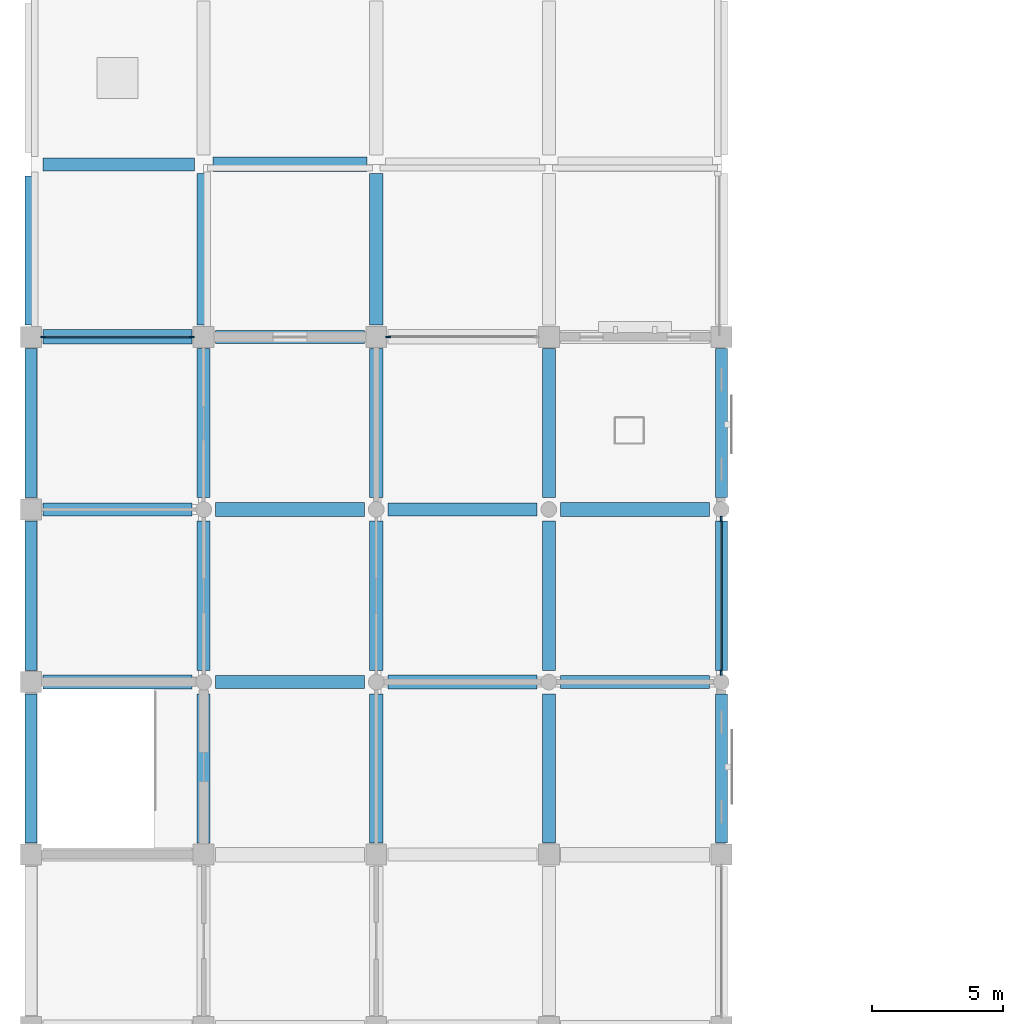
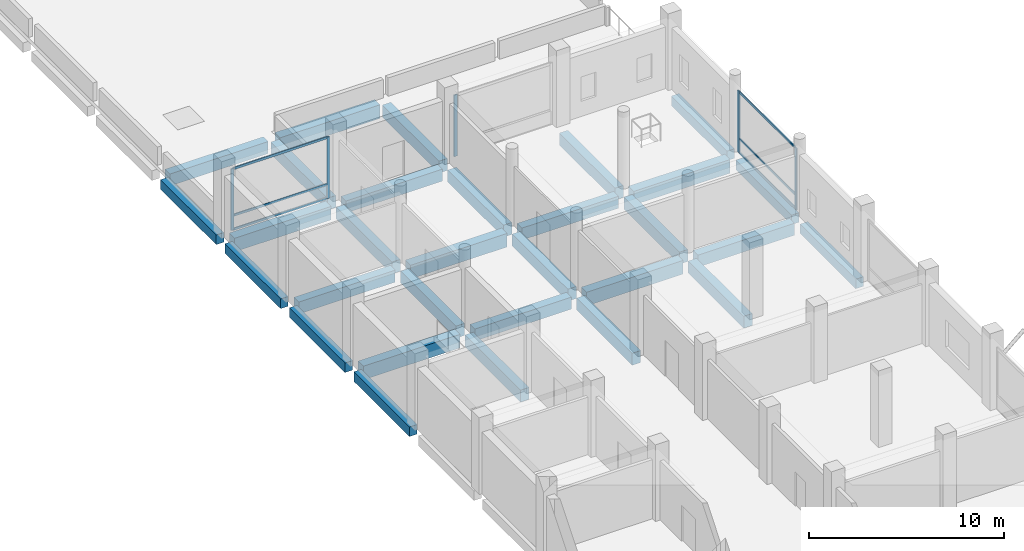
# One storey, part 13 of 34: 30 beams, 11 members, 3 elements without a shape of their own.
"""IFC4 building model written with IfcOpenShell, lengths in metres."""

from ifc_helpers import new_model, si_unit, direction, frame, origin, origin_2d, place, context, subcontext, project, spatial, rectangle, extrude, material, material_profile, profile_set, type_object, element, aggregate, save


model = new_model("IFC4")

# Units and contexts
model_context = context("Model", 3, precision=1e-05, world=origin(), true_north=direction((0.0, 1.0)))
body_context = subcontext(model_context, "Body", "Model", "MODEL_VIEW")
ifc_project = project(units=[si_unit("LENGTHUNIT", "METRE"), si_unit("AREAUNIT", "SQUARE_METRE"), si_unit("VOLUMEUNIT", "CUBIC_METRE"), si_unit("PLANEANGLEUNIT", "RADIAN"), si_unit("MASSUNIT", "GRAM", prefix="KILO")], contexts=[model_context])

# Site, building, storey
site_placement = place(None, origin())
site = spatial("IfcSite", under=ifc_project, at=site_placement, CompositionType="ELEMENT")
building_placement = place(site_placement, origin())
building = spatial("IfcBuilding", under=site, at=building_placement, Name="Rusizi Kubbe Research Institute", CompositionType="ELEMENT")
storey_placement = place(building_placement, frame((0.0, 0.0, 5.39990234375)))
storey = spatial("IfcBuildingStorey", under=building, at=storey_placement, Name="L01", CompositionType="ELEMENT", Elevation=5.39990234375)

# Beams
ifc_material_1 = material(Name="Concrete C40/50", Category="concrete")
ifc_material_profile_1 = material_profile(ifc_material_1, rectangle(XDim=0.449951171875, YDim=0.60009765625, at=origin_2d()), Name="RC450x600")
ifc_profile_set_1 = profile_set([ifc_material_profile_1], Name="Concrete C40/50")
beam_type_1 = type_object("IfcBeamType", Name="BM-RC450x600", PredefinedType="SPANDREL", material=ifc_profile_set_1)
for number, where, z_axis, x_axis, name in (
    (1, (0.0, 125.85009765625, -0.64990234375), (0.0, 1.0, 0.0), (-1.0, 0.0, 0.0), "Grid Beam V L01 (0,19)"),
    (2, (0.0, 132.449951171875, -0.64990234375), (0.0, 1.0, 0.0), (-1.0, 0.0, 0.0), "Grid Beam V L01 (0,20)"),
    (3, (0.0, 139.050048828125, -0.64990234375), (0.0, 1.0, 0.0), (-1.0, 0.0, 0.0), "Grid Beam V L01 (0,21)"),
):
    element("IfcBeam", number, at=place(storey_placement, frame(where, z_axis=z_axis, x_axis=x_axis)), inside=storey, type_object=beam_type_1, Name=name, PredefinedType="SPANDREL", context=body_context, shape_type="SweptSolid", body=[
        extrude(rectangle(XDim=0.449951171875, YDim=0.60009765625, at=origin_2d()), origin(), (0.0, 0.0, 1.0), 5.699951171875),
    ])
beam_1_placement = place(storey_placement, frame((0.0, 145.64990234375, -0.64990234375), z_axis=(0.0, 1.0, 0.0), x_axis=(-1.0, 0.0, 0.0)))
element("IfcBeam", 4, at=beam_1_placement, inside=storey, type_object=beam_type_1, Name="Grid Beam V L01 (0,22)", PredefinedType="SPANDREL", context=body_context, shape_type="SweptSolid", body=[
    extrude(rectangle(XDim=0.449951171875, YDim=0.60009765625, at=origin_2d()), origin(), (0.0, 0.0, 1.0), 5.7001953125),
])
for number, where, z_axis, x_axis, name in (
    (5, (26.39990234375, 125.85009765625, -0.64990234375), (0.0, 1.0, 0.0), (-1.0, 0.0, 0.0), "Grid Beam V L01 (4,19)"),
    (6, (26.39990234375, 132.449951171875, -0.64990234375), (0.0, 1.0, 0.0), (-1.0, 0.0, 0.0), "Grid Beam V L01 (4,20)"),
    (7, (26.39990234375, 139.050048828125, -0.64990234375), (0.0, 1.0, 0.0), (-1.0, 0.0, 0.0), "Grid Beam V L01 (4,21)"),
):
    element("IfcBeam", number, at=place(storey_placement, frame(where, z_axis=z_axis, x_axis=x_axis)), inside=storey, type_object=beam_type_1, Name=name, PredefinedType="SPANDREL", context=body_context, shape_type="SweptSolid", body=[
        extrude(rectangle(XDim=0.449951171875, YDim=0.60009765625, at=origin_2d()), origin(), (0.0, 0.0, 1.0), 5.699951171875),
    ])
ifc_material_2 = material(Name="Concrete C45/55", Category="concrete")
ifc_material_profile_2 = material_profile(ifc_material_2, rectangle(XDim=0.5, YDim=0.75, at=origin_2d()), Name="RC500x750B")
ifc_profile_set_2 = profile_set([ifc_material_profile_2], Name="Concrete C45/55")
beam_type_2 = type_object("IfcBeamType", Name="BM-RC500x750", PredefinedType="BEAM", material=ifc_profile_set_2)
beam_2_placement = place(storey_placement, frame((0.449951171875, 138.60009765625, -0.724853515625), z_axis=(1.0, 0.0, 0.0), x_axis=(0.0, 1.0, 0.0)))
element("IfcBeam", 8, at=beam_2_placement, inside=storey, type_object=beam_type_2, Name="Grid Beam H L01 (0,21)", PredefinedType="BEAM", context=body_context, shape_type="SweptSolid", body=[
    extrude(rectangle(XDim=0.5, YDim=0.75, at=origin_2d()), origin(), (0.0, 0.0, 1.0), 5.699951171875),
])
beam_3_placement = place(storey_placement, frame((0.449951171875, 151.800048828125, -0.724853515625), z_axis=(1.0, 0.0, 0.0), x_axis=(0.0, 1.0, 0.0)))
element("IfcBeam", 9, at=beam_3_placement, inside=storey, type_object=beam_type_2, Name="Grid Beam H L01 (0,23)", PredefinedType="BEAM", context=body_context, shape_type="SweptSolid", body=[
    extrude(rectangle(XDim=0.5, YDim=0.75, at=origin_2d()), origin(), (0.0, 0.0, 1.0), 5.800048828125),
])
for number, where, z_axis, x_axis, name in (
    (10, (7.050048828125, 132.0, -0.724853515625), (1.0, 0.0, 0.0), (0.0, 1.0, 0.0), "Grid Beam H L01 (1,20)"),
    (11, (7.050048828125, 145.199951171875, -0.724853515625), (1.0, 0.0, 0.0), (0.0, 1.0, 0.0), "Grid Beam H L01 (1,22)"),
):
    element("IfcBeam", number, at=place(storey_placement, frame(where, z_axis=z_axis, x_axis=x_axis)), inside=storey, type_object=beam_type_2, Name=name, PredefinedType="BEAM", context=body_context, shape_type="SweptSolid", body=[
        extrude(rectangle(XDim=0.5, YDim=0.75, at=origin_2d()), origin(), (0.0, 0.0, 1.0), 5.699951171875),
    ])
beam_4_placement = place(storey_placement, frame((13.64990234375, 138.60009765625, -0.724853515625), z_axis=(1.0, 0.0, 0.0), x_axis=(0.0, 1.0, 0.0)))
element("IfcBeam", 12, at=beam_4_placement, inside=storey, type_object=beam_type_2, Name="Grid Beam H L01 (2,21)", PredefinedType="BEAM", context=body_context, shape_type="SweptSolid", body=[
    extrude(rectangle(XDim=0.5, YDim=0.75, at=origin_2d()), origin(), (0.0, 0.0, 1.0), 5.7001953125),
])
for number, where, z_axis, x_axis, name in (
    (13, (20.25, 132.0, -0.724853515625), (1.0, 0.0, 0.0), (0.0, 1.0, 0.0), "Grid Beam H L01 (3,20)"),
    (14, (6.60009765625, 125.85009765625, -0.724853515625), (0.0, 1.0, 0.0), (-1.0, 0.0, 0.0), "Grid Beam V L01 (1,19)"),
    (15, (6.60009765625, 132.449951171875, -0.724853515625), (0.0, 1.0, 0.0), (-1.0, 0.0, 0.0), "Grid Beam V L01 (1,20)"),
    (16, (6.60009765625, 139.050048828125, -0.724853515625), (0.0, 1.0, 0.0), (-1.0, 0.0, 0.0), "Grid Beam V L01 (1,21)"),
):
    element("IfcBeam", number, at=place(storey_placement, frame(where, z_axis=z_axis, x_axis=x_axis)), inside=storey, type_object=beam_type_2, Name=name, PredefinedType="BEAM", context=body_context, shape_type="SweptSolid", body=[
        extrude(rectangle(XDim=0.5, YDim=0.75, at=origin_2d()), origin(), (0.0, 0.0, 1.0), 5.699951171875),
    ])
beam_5_placement = place(storey_placement, frame((6.60009765625, 145.64990234375, -0.724853515625), z_axis=(0.0, 1.0, 0.0), x_axis=(-1.0, 0.0, 0.0)))
element("IfcBeam", 17, at=beam_5_placement, inside=storey, type_object=beam_type_2, Name="Grid Beam V L01 (1,22)", PredefinedType="BEAM", context=body_context, shape_type="SweptSolid", body=[
    extrude(rectangle(XDim=0.5, YDim=0.75, at=origin_2d()), origin(), (0.0, 0.0, 1.0), 5.800048828125),
])
for number, where, z_axis, x_axis, name in (
    (18, (13.199951171875, 125.85009765625, -0.724853515625), (0.0, 1.0, 0.0), (-1.0, 0.0, 0.0), "Grid Beam V L01 (2,19)"),
    (19, (13.199951171875, 132.449951171875, -0.724853515625), (0.0, 1.0, 0.0), (-1.0, 0.0, 0.0), "Grid Beam V L01 (2,20)"),
    (20, (13.199951171875, 139.050048828125, -0.724853515625), (0.0, 1.0, 0.0), (-1.0, 0.0, 0.0), "Grid Beam V L01 (2,21)"),
):
    element("IfcBeam", number, at=place(storey_placement, frame(where, z_axis=z_axis, x_axis=x_axis)), inside=storey, type_object=beam_type_2, Name=name, PredefinedType="BEAM", context=body_context, shape_type="SweptSolid", body=[
        extrude(rectangle(XDim=0.5, YDim=0.75, at=origin_2d()), origin(), (0.0, 0.0, 1.0), 5.699951171875),
    ])
beam_6_placement = place(storey_placement, frame((13.199951171875, 145.64990234375, -0.724853515625), z_axis=(0.0, 1.0, 0.0), x_axis=(-1.0, 0.0, 0.0)))
element("IfcBeam", 21, at=beam_6_placement, inside=storey, type_object=beam_type_2, Name="Grid Beam V L01 (2,22)", PredefinedType="BEAM", context=body_context, shape_type="SweptSolid", body=[
    extrude(rectangle(XDim=0.5, YDim=0.75, at=origin_2d()), origin(), (0.0, 0.0, 1.0), 5.800048828125),
])
for number, where, z_axis, x_axis, name in (
    (22, (19.800048828125, 125.85009765625, -0.724853515625), (0.0, 1.0, 0.0), (-1.0, 0.0, 0.0), "Grid Beam V L01 (3,19)"),
    (23, (19.800048828125, 132.449951171875, -0.724853515625), (0.0, 1.0, 0.0), (-1.0, 0.0, 0.0), "Grid Beam V L01 (3,20)"),
    (24, (19.800048828125, 139.050048828125, -0.724853515625), (0.0, 1.0, 0.0), (-1.0, 0.0, 0.0), "Grid Beam V L01 (3,21)"),
):
    element("IfcBeam", number, at=place(storey_placement, frame(where, z_axis=z_axis, x_axis=x_axis)), inside=storey, type_object=beam_type_2, Name=name, PredefinedType="BEAM", context=body_context, shape_type="SweptSolid", body=[
        extrude(rectangle(XDim=0.5, YDim=0.75, at=origin_2d()), origin(), (0.0, 0.0, 1.0), 5.699951171875),
    ])
ifc_material_3 = material(Name="Concrete C45/55", Category="concrete")
ifc_material_profile_3 = material_profile(ifc_material_3, rectangle(XDim=0.550048828125, YDim=0.85009765625, at=origin_2d()), Name="RC550x850")
ifc_profile_set_3 = profile_set([ifc_material_profile_3], Name="Concrete C45/55")
beam_type_3 = type_object("IfcBeamType", Name="BM-RC550x850", PredefinedType="BEAM", material=ifc_profile_set_3)
for number, where, z_axis, x_axis, name in (
    (25, (0.449951171875, 132.0, -0.77490234375), (1.0, 0.0, 0.0), (0.0, 1.0, 0.0), "Grid Beam H L01 (0,20)"),
    (26, (0.449951171875, 145.199951171875, -0.77490234375), (1.0, 0.0, 0.0), (0.0, 1.0, 0.0), "Grid Beam H L01 (0,22)"),
    (27, (7.050048828125, 138.60009765625, -0.77490234375), (1.0, 0.0, 0.0), (0.0, 1.0, 0.0), "Grid Beam H L01 (1,21)"),
):
    element("IfcBeam", number, at=place(storey_placement, frame(where, z_axis=z_axis, x_axis=x_axis)), inside=storey, type_object=beam_type_3, Name=name, PredefinedType="BEAM", context=body_context, shape_type="SweptSolid", body=[
        extrude(rectangle(XDim=0.550048828125, YDim=0.85009765625, at=origin_2d()), origin(), (0.0, 0.0, 1.0), 5.699951171875),
    ])
beam_7_placement = place(storey_placement, frame((6.949951171875, 151.800048828125, -0.77490234375), z_axis=(1.0, 0.0, 0.0), x_axis=(0.0, 1.0, 0.0)))
element("IfcBeam", 28, at=beam_7_placement, inside=storey, type_object=beam_type_3, Name="Grid Beam H L01 (1,23)", PredefinedType="BEAM", context=body_context, shape_type="SweptSolid", body=[
    extrude(rectangle(XDim=0.550048828125, YDim=0.85009765625, at=origin_2d()), origin(), (0.0, 0.0, 1.0), 5.900146484375),
])
beam_8_placement = place(storey_placement, frame((13.64990234375, 132.0, -0.77490234375), z_axis=(1.0, 0.0, 0.0), x_axis=(0.0, 1.0, 0.0)))
element("IfcBeam", 29, at=beam_8_placement, inside=storey, type_object=beam_type_3, Name="Grid Beam H L01 (2,20)", PredefinedType="BEAM", context=body_context, shape_type="SweptSolid", body=[
    extrude(rectangle(XDim=0.550048828125, YDim=0.85009765625, at=origin_2d()), origin(), (0.0, 0.0, 1.0), 5.7001953125),
])
beam_9_placement = place(storey_placement, frame((20.25, 138.60009765625, -0.77490234375), z_axis=(1.0, 0.0, 0.0), x_axis=(0.0, 1.0, 0.0)))
element("IfcBeam", 30, at=beam_9_placement, inside=storey, type_object=beam_type_3, Name="Grid Beam H L01 (3,21)", PredefinedType="BEAM", context=body_context, shape_type="SweptSolid", body=[
    extrude(rectangle(XDim=0.550048828125, YDim=0.85009765625, at=origin_2d()), origin(), (0.0, 0.0, 1.0), 5.699951171875),
])

# Curtain wall, members
ifc_material_4 = material(Name="Thermally Broken Aluminium and Low-E Glazing", Category="aluminium")
curtain_wall_type_1 = type_object("IfcCurtainWallType", Name="CW-17", PredefinedType="NOTDEFINED", material=ifc_material_4)
curtain_wall_1_placement = place(storey_placement, origin())
curtain_wall_1 = element("IfcCurtainWall", 31, at=curtain_wall_1_placement, inside=storey, type_object=curtain_wall_type_1, Name="Unitised Facade Curtain Wall CW-L01-H-00-22", PredefinedType="NOTDEFINED")
ifc_material_5 = material(Name="Aluminium Alloy 6063-T6", Category="aluminium")
ifc_material_profile_4 = material_profile(ifc_material_5, rectangle(XDim=0.06005859375, YDim=0.179931640625, at=origin_2d()), Name="ALU-M 60x180")
ifc_profile_set_4 = profile_set([ifc_material_profile_4], Name="Aluminium Alloy 6063-T6")
member_type_1 = type_object("IfcMemberType", Name="ML-02", PredefinedType="MULLION", material=ifc_profile_set_4)
member_1_placement = place(storey_placement, frame((0.4599609375, 145.199951171875, 0.0), z_axis=(0.0, 0.0, 1.0), x_axis=(0.0, 1.0, 0.0)))
member_1 = element("IfcMember", 32, at=member_1_placement, type_object=member_type_1, Name="CW-17 mullion 1", PredefinedType="MULLION", context=body_context, shape_type="SweptSolid", body=[
    extrude(rectangle(XDim=0.06005859375, YDim=0.179931640625, at=origin_2d()), origin(), (0.0, 0.0, 1.0), 3.85009765625),
])
member_2_placement = place(storey_placement, frame((6.139892578125, 145.199951171875, 0.0), z_axis=(0.0, 0.0, 1.0), x_axis=(0.0, 1.0, 0.0)))
member_2 = element("IfcMember", 33, at=member_2_placement, type_object=member_type_1, Name="CW-17 mullion 2", PredefinedType="MULLION", context=body_context, shape_type="SweptSolid", body=[
    extrude(rectangle(XDim=0.06005859375, YDim=0.179931640625, at=origin_2d()), origin(), (0.0, 0.0, 1.0), 3.85009765625),
])

# Curtain wall, member
curtain_wall_2_placement = place(storey_placement, origin())
curtain_wall_2 = element("IfcCurtainWall", 34, at=curtain_wall_2_placement, inside=storey, type_object=curtain_wall_type_1, Name="Unitised Facade Curtain Wall CW-L01-H-02-22", PredefinedType="NOTDEFINED")
ifc_material_6 = material(Name="Aluminium Alloy 6063-T6", Category="aluminium")
ifc_material_profile_5 = material_profile(ifc_material_6, rectangle(XDim=0.06494140625, YDim=0.199951171875, at=origin_2d()), Name="ALU-M 65x200")
ifc_profile_set_5 = profile_set([ifc_material_profile_5], Name="Aluminium Alloy 6063-T6")
member_type_2 = type_object("IfcMemberType", Name="ML-03", PredefinedType="MULLION", material=ifc_profile_set_5)
member_3_placement = place(storey_placement, frame((13.66259765625, 145.199951171875, 0.0), z_axis=(0.0, 0.0, 1.0), x_axis=(0.0, 1.0, 0.0)))
member_3 = element("IfcMember", 35, at=member_3_placement, type_object=member_type_2, Name="CW-17 mullion 1", PredefinedType="MULLION", context=body_context, shape_type="SweptSolid", body=[
    extrude(rectangle(XDim=0.06494140625, YDim=0.199951171875, at=origin_2d()), origin(), (0.0, 0.0, 1.0), 3.85009765625),
])
aggregate(curtain_wall_2, [member_3])

# Curtain wall, members
ifc_material_7 = material(Name="Thermally Broken Aluminium and Low-E Glazing", Category="aluminium")
curtain_wall_type_2 = type_object("IfcCurtainWallType", Name="CW-18", PredefinedType="NOTDEFINED", material=ifc_material_7)
curtain_wall_3_placement = place(storey_placement, origin())
curtain_wall_3 = element("IfcCurtainWall", 36, at=curtain_wall_3_placement, inside=storey, type_object=curtain_wall_type_2, Name="Unitised Facade Curtain Wall CW-L01-V-04-20", PredefinedType="NOTDEFINED")
ifc_material_8 = material(Name="Aluminium Alloy 6063-T6", Category="aluminium")
ifc_material_profile_6 = material_profile(ifc_material_8, rectangle(XDim=0.070068359375, YDim=0.219970703125, at=origin_2d()), Name="ALU-M 70x220")
ifc_profile_set_6 = profile_set([ifc_material_profile_6], Name="Aluminium Alloy 6063-T6")
member_type_3 = type_object("IfcMemberType", Name="ML-04", PredefinedType="MULLION", material=ifc_profile_set_6)
member_4_placement = place(storey_placement, frame((26.39990234375, 132.364990234375, 0.0), z_axis=(0.0, 0.0, 1.0), x_axis=(-1.0, 0.0, 0.0)))
member_4 = element("IfcMember", 37, at=member_4_placement, type_object=member_type_3, Name="CW-18 mullion 1", PredefinedType="MULLION", context=body_context, shape_type="SweptSolid", body=[
    extrude(rectangle(XDim=0.070068359375, YDim=0.219970703125, at=origin_2d()), origin(), (0.0, 0.0, 1.0), 3.85009765625),
])
member_5_placement = place(storey_placement, frame((26.39990234375, 138.235107421875, 0.0), z_axis=(0.0, 0.0, 1.0), x_axis=(-1.0, 0.0, 0.0)))
member_5 = element("IfcMember", 38, at=member_5_placement, type_object=member_type_3, Name="CW-18 mullion 2", PredefinedType="MULLION", context=body_context, shape_type="SweptSolid", body=[
    extrude(rectangle(XDim=0.070068359375, YDim=0.219970703125, at=origin_2d()), origin(), (0.0, 0.0, 1.0), 3.85009765625),
])

# Member
ifc_material_9 = material(Name="Aluminium Alloy 6063-T6", Category="aluminium")
ifc_material_profile_7 = material_profile(ifc_material_9, rectangle(XDim=0.06005859375, YDim=0.139892578125, at=origin_2d()), Name="ALU-T 60x140")
ifc_profile_set_7 = profile_set([ifc_material_profile_7], Name="Aluminium Alloy 6063-T6")
member_type_4 = type_object("IfcMemberType", Name="TR-02", PredefinedType="USERDEFINED", material=ifc_profile_set_7)
member_6_placement = place(storey_placement, frame((0.489990234375, 145.199951171875, 0.030029296875), z_axis=(1.0, 0.0, 0.0), x_axis=(0.0, 1.0, 0.0)))
member_6 = element("IfcMember", 39, at=member_6_placement, type_object=member_type_4, Name="CW-17 transom 1.1", ObjectType="TRANSOM", PredefinedType="USERDEFINED", context=body_context, shape_type="SweptSolid", body=[
    extrude(rectangle(XDim=0.06005859375, YDim=0.139892578125, at=origin_2d()), origin(), (0.0, 0.0, 1.0), 5.6201171875),
])

member_7_placement = place(storey_placement, frame((0.489990234375, 145.199951171875, 0.900146484375), z_axis=(1.0, 0.0, 0.0), x_axis=(0.0, 1.0, 0.0)))
member_7 = element("IfcMember", 40, at=member_7_placement, type_object=member_type_4, Name="CW-17 transom 1.2", ObjectType="TRANSOM", PredefinedType="USERDEFINED", context=body_context, shape_type="SweptSolid", body=[
    extrude(rectangle(XDim=0.06005859375, YDim=0.139892578125, at=origin_2d()), origin(), (0.0, 0.0, 1.0), 5.6201171875),
])

member_8_placement = place(storey_placement, frame((0.489990234375, 145.199951171875, 3.820068359375), z_axis=(1.0, 0.0, 0.0), x_axis=(0.0, 1.0, 0.0)))
member_8 = element("IfcMember", 41, at=member_8_placement, type_object=member_type_4, Name="CW-17 transom 1.3", ObjectType="TRANSOM", PredefinedType="USERDEFINED", context=body_context, shape_type="SweptSolid", body=[
    extrude(rectangle(XDim=0.06005859375, YDim=0.139892578125, at=origin_2d()), origin(), (0.0, 0.0, 1.0), 5.6201171875),
])

aggregate(curtain_wall_1, [member_1, member_2, member_6, member_7, member_8])

member_9_placement = place(storey_placement, frame((26.39990234375, 132.39990234375, 0.030029296875), z_axis=(0.0, 1.0, 0.0), x_axis=(-1.0, 0.0, 0.0)))
member_9 = element("IfcMember", 42, at=member_9_placement, type_object=member_type_4, Name="CW-18 transom 1.1", ObjectType="TRANSOM", PredefinedType="USERDEFINED", context=body_context, shape_type="SweptSolid", body=[
    extrude(rectangle(XDim=0.06005859375, YDim=0.139892578125, at=origin_2d()), origin(), (0.0, 0.0, 1.0), 5.800048828125),
])

member_10_placement = place(storey_placement, frame((26.39990234375, 132.39990234375, 0.900146484375), z_axis=(0.0, 1.0, 0.0), x_axis=(-1.0, 0.0, 0.0)))
member_10 = element("IfcMember", 43, at=member_10_placement, type_object=member_type_4, Name="CW-18 transom 1.2", ObjectType="TRANSOM", PredefinedType="USERDEFINED", context=body_context, shape_type="SweptSolid", body=[
    extrude(rectangle(XDim=0.06005859375, YDim=0.139892578125, at=origin_2d()), origin(), (0.0, 0.0, 1.0), 5.800048828125),
])

member_11_placement = place(storey_placement, frame((26.39990234375, 132.39990234375, 3.820068359375), z_axis=(0.0, 1.0, 0.0), x_axis=(-1.0, 0.0, 0.0)))
member_11 = element("IfcMember", 44, at=member_11_placement, type_object=member_type_4, Name="CW-18 transom 1.3", ObjectType="TRANSOM", PredefinedType="USERDEFINED", context=body_context, shape_type="SweptSolid", body=[
    extrude(rectangle(XDim=0.06005859375, YDim=0.139892578125, at=origin_2d()), origin(), (0.0, 0.0, 1.0), 5.800048828125),
])

aggregate(curtain_wall_3, [member_4, member_5, member_9, member_10, member_11])

save(model, "model.ifc")
